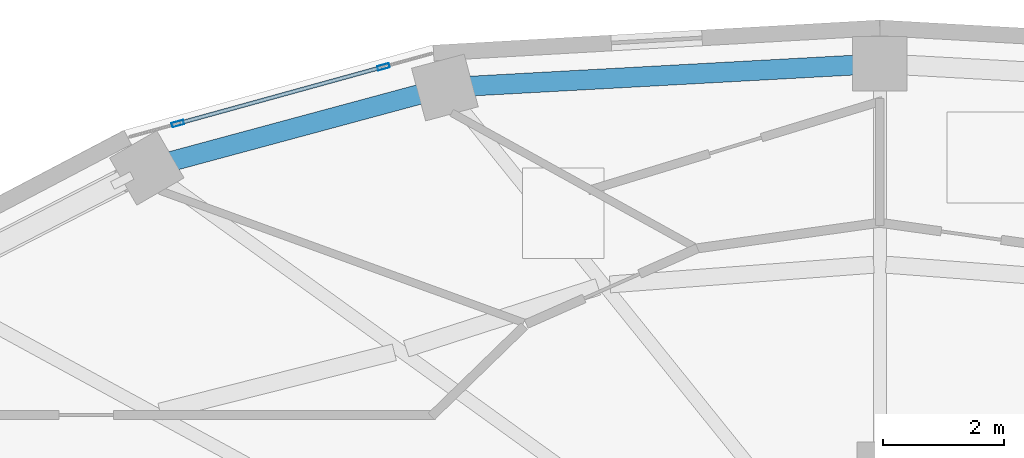
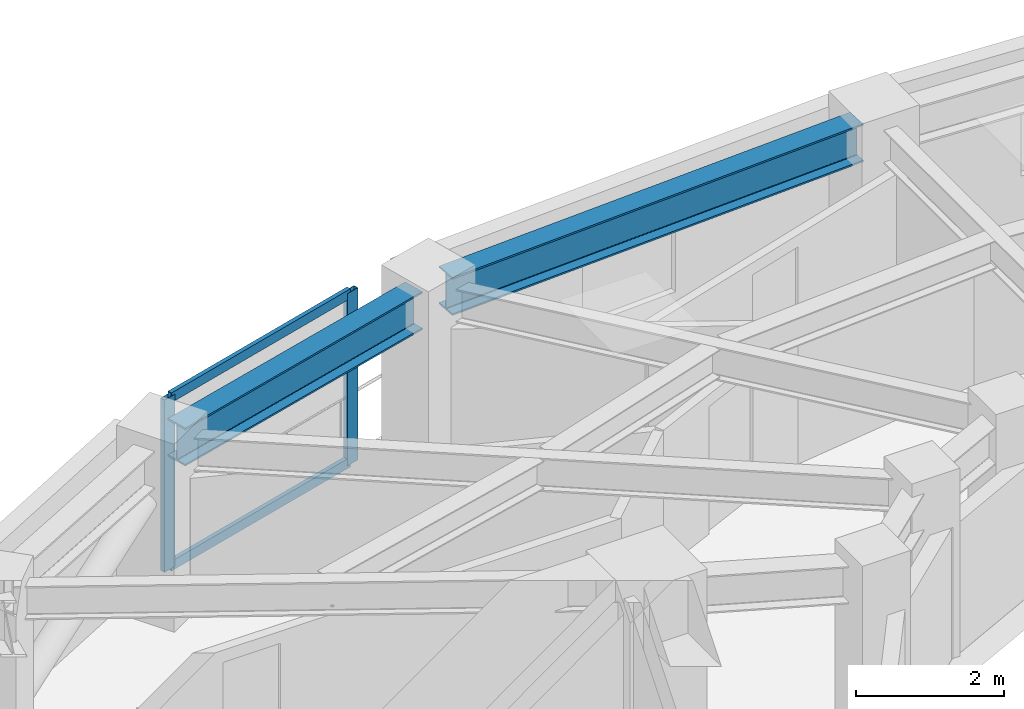
# One storey, part 8 of 17: 4 members, 2 beams, 1 element without a shape of its own.
"""IFC4 building model written with IfcOpenShell, lengths in metres."""

from ifc_helpers import new_model, si_unit, direction, frame, origin, origin_2d, place, context, subcontext, project, spatial, hollow_rectangle, i_section, extrude, material, layer, layer_set, material_profile, profile_set, type_object, element, aggregate, save


model = new_model("IFC4")

# Units and contexts
model_context = context("Model", 3, precision=1e-05, world=origin(), true_north=direction((0.0, 1.0)))
body_context = subcontext(model_context, "Body", "Model", "MODEL_VIEW")
ifc_project = project(units=[si_unit("LENGTHUNIT", "METRE"), si_unit("AREAUNIT", "SQUARE_METRE"), si_unit("VOLUMEUNIT", "CUBIC_METRE"), si_unit("PLANEANGLEUNIT", "RADIAN"), si_unit("MASSUNIT", "GRAM", prefix="KILO")], contexts=[model_context])

# Site, building, storey
site_placement = place(None, origin())
site = spatial("IfcSite", under=ifc_project, at=site_placement, CompositionType="ELEMENT")
building_placement = place(site_placement, origin())
building = spatial("IfcBuilding", under=site, at=building_placement, Name="Solvane Sanctuary Tower", CompositionType="ELEMENT")
storey_placement = place(building_placement, frame((0.0, 0.0, 171.5)))
storey = spatial("IfcBuildingStorey", under=building, at=storey_placement, Name="L52", CompositionType="ELEMENT", Elevation=171.5)

# Beams
ifc_material_1 = material(Name="Steel ASTM A992 Grade 50", Category="steel")
ifc_material_profile_1 = material_profile(ifc_material_1, i_section(OverallWidth=0.327880859375, OverallDepth=0.6279296875, WebThickness=0.0166015625, FlangeThickness=0.027587890625, FilletRadius=0.01611328125, at=origin_2d()), Name="W24X146")
ifc_profile_set_1 = profile_set([ifc_material_profile_1], Name="Steel ASTM A992 Grade 50")
beam_type = type_object("IfcBeamType", Name="Beam B-SPAND-Z3 W24X146", PredefinedType="SPANDREL", material=ifc_profile_set_1)
beam_1_placement = place(storey_placement, frame((20.172119140625, 36.43212890625, 2.56396484375), z_axis=(0.965473224565, 0.260502308334, 0.0), x_axis=(-0.260502308334, 0.965473224565, 0.0)))
element("IfcBeam", 1, at=beam_1_placement, inside=storey, type_object=beam_type, Name="L52 Perimeter Spandrel Beam TC06-TC05", PredefinedType="SPANDREL", context=body_context, shape_type="SweptSolid", body=[
    extrude(i_section(OverallWidth=0.327880859375, OverallDepth=0.6279296875, WebThickness=0.0166015625, FlangeThickness=0.027587890625, FilletRadius=0.01611328125, at=origin_2d()), origin(), (0.0, 0.0, 1.0), 4.535888671875),
])
beam_2_placement = place(storey_placement, frame((25.101318359375, 37.701904296875, 2.56396484375), z_axis=(0.998501325362, 0.054727536496, 0.0), x_axis=(-0.054727536496, 0.998501325362, 0.0)))
element("IfcBeam", 2, at=beam_2_placement, inside=storey, type_object=beam_type, Name="L52 Perimeter Spandrel Beam TC05-TC04", PredefinedType="SPANDREL", context=body_context, shape_type="SweptSolid", body=[
    extrude(i_section(OverallWidth=0.327880859375, OverallDepth=0.6279296875, WebThickness=0.0166015625, FlangeThickness=0.027587890625, FilletRadius=0.01611328125, at=origin_2d()), origin(), (0.0, 0.0, 1.0), 6.629150390625),
])

# Curtain wall, members
ifc_material_2 = material(Name="Anodised Aluminium 6063-T6", Category="aluminium")
ifc_layer = layer(ifc_material_2, 0.179931640625, Name="Anodised Aluminium 6063-T6")
ifc_layer_set = layer_set([ifc_layer], Name="Anodised Aluminium 6063-T6")
curtain_wall_type = type_object("IfcCurtainWallType", Name="Curtain Wall CW-FRIT-Z2", PredefinedType="NOTDEFINED", material=ifc_layer_set)
curtain_wall_placement = place(storey_placement, origin())
curtain_wall = element("IfcCurtainWall", 3, at=curtain_wall_placement, inside=storey, type_object=curtain_wall_type, Name="L52 CW-FRIT-Z2 Facade Run 07", PredefinedType="NOTDEFINED")
ifc_material_profile_2 = material_profile(ifc_material_2, hollow_rectangle(XDim=0.074951171875, YDim=0.199951171875, WallThickness=0.00390625, at=origin_2d()), Name="ALU200X75X4")
ifc_profile_set_2 = profile_set([ifc_material_profile_2], Name="Anodised Aluminium 6063-T6")
member_type_1 = type_object("IfcMemberType", Name="Member M-CW-MUL-1 ALU200X75X4", PredefinedType="MULLION", material=ifc_profile_set_2)
member_1_placement = place(storey_placement, frame((23.808349609375, 38.0283203125, 0.0), z_axis=(0.0, 0.0, 1.0), x_axis=(0.266021653965, -0.963967053183, 0.0)))
member_1 = element("IfcMember", 4, at=member_1_placement, type_object=member_type_1, Name="CW-FRIT-Z2 mullion 1", PredefinedType="MULLION", context=body_context, shape_type="SweptSolid", body=[
    extrude(hollow_rectangle(XDim=0.074951171875, YDim=0.199951171875, WallThickness=0.00390625, at=origin_2d()), origin(), (0.0, 0.0, 1.0), 2.840087890625),
])
member_2_placement = place(storey_placement, frame((20.413330078125, 37.091552734375, 0.0), z_axis=(0.0, 0.0, 1.0), x_axis=(0.266021653965, -0.963967053183, 0.0)))
member_2 = element("IfcMember", 5, at=member_2_placement, type_object=member_type_1, Name="CW-FRIT-Z2 mullion 2", PredefinedType="MULLION", context=body_context, shape_type="SweptSolid", body=[
    extrude(hollow_rectangle(XDim=0.074951171875, YDim=0.199951171875, WallThickness=0.00390625, at=origin_2d()), origin(), (0.0, 0.0, 1.0), 2.840087890625),
])
ifc_material_profile_3 = material_profile(ifc_material_2, hollow_rectangle(XDim=0.06494140625, YDim=0.159912109375, WallThickness=0.00341796875, at=origin_2d()), Name="ALU160X65X3.5")
ifc_profile_set_3 = profile_set([ifc_material_profile_3], Name="Anodised Aluminium 6063-T6")
member_type_2 = type_object("IfcMemberType", Name="Member M-CW-TRN-1 ALU160X65X3.5", PredefinedType="USERDEFINED", material=ifc_profile_set_3)
member_3_placement = place(storey_placement, frame((23.772216796875, 38.0185546875, 0.032470703125), z_axis=(-0.963960051492, -0.266047024278, 0.0), x_axis=(0.266047024278, -0.963960051492, 0.0)))
member_3 = element("IfcMember", 6, at=member_3_placement, type_object=member_type_2, Name="CW-FRIT-Z2 transom 1.1", ObjectType="TRANSOM", PredefinedType="USERDEFINED", context=body_context, shape_type="SweptSolid", body=[
    extrude(hollow_rectangle(XDim=0.06494140625, YDim=0.159912109375, WallThickness=0.00341796875, at=origin_2d()), origin(), (0.0, 0.0, 1.0), 3.44677734375),
])
member_4_placement = place(storey_placement, frame((23.772216796875, 38.0185546875, 2.8076171875), z_axis=(-0.963960051492, -0.266047024278, 0.0), x_axis=(0.266047024278, -0.963960051492, 0.0)))
member_4 = element("IfcMember", 7, at=member_4_placement, type_object=member_type_2, Name="CW-FRIT-Z2 transom 1.2", ObjectType="TRANSOM", PredefinedType="USERDEFINED", context=body_context, shape_type="SweptSolid", body=[
    extrude(hollow_rectangle(XDim=0.06494140625, YDim=0.159912109375, WallThickness=0.00341796875, at=origin_2d()), origin(), (0.0, 0.0, 1.0), 3.44677734375),
])
aggregate(curtain_wall, [member_1, member_2, member_3, member_4])

save(model, "model.ifc")
